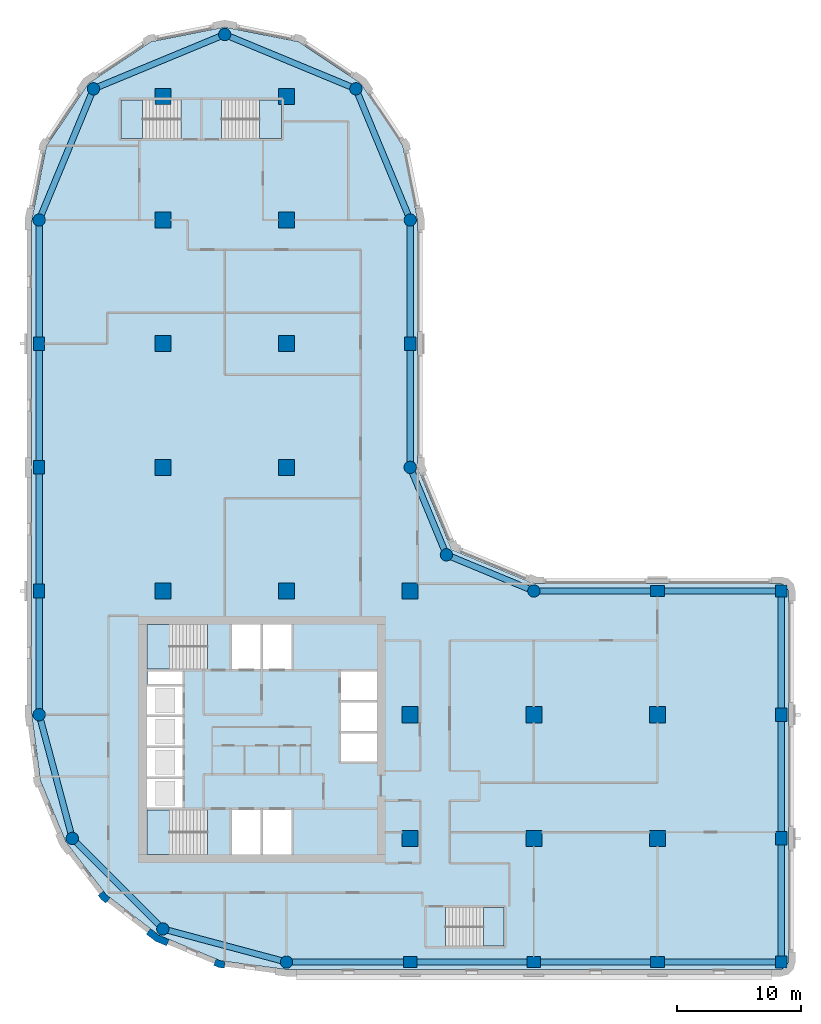
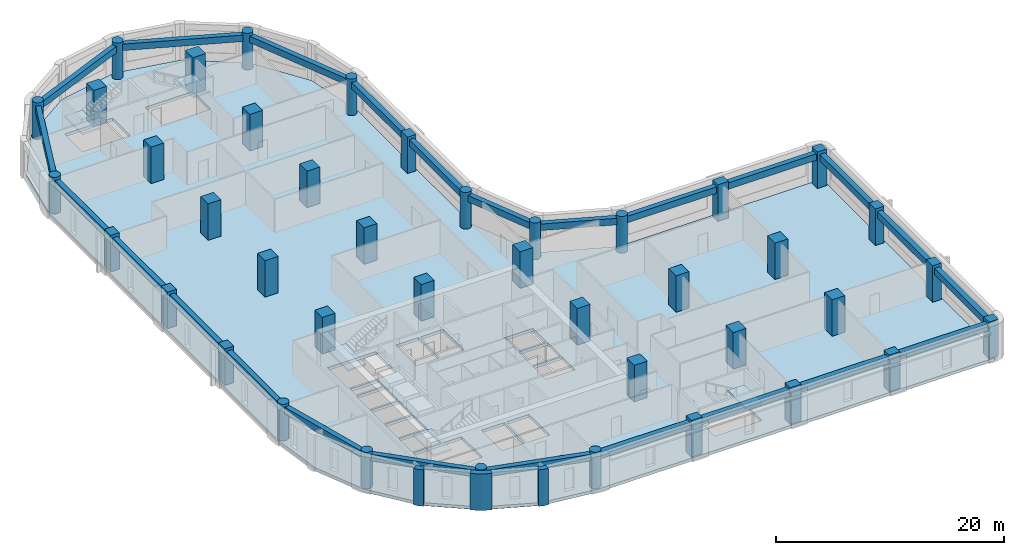
# One storey, part 1 of 9: 41 columns, 24 beams, 6 slabs, 3 walls, 5 elements without a shape of their own.
"""IFC4 building model written with IfcOpenShell, lengths in metres."""

from ifc_helpers import new_model, si_unit, direction, frame, origin, origin_2d, place, context, subcontext, project, spatial, polyline, rectangle, circle, outline, extrude, material, layer, layer_set, material_profile, profile_set, type_object, element, aggregate, save


model = new_model("IFC4")

# Units and contexts
model_context = context("Model", 3, precision=1e-05, world=origin(), true_north=direction((0.0, 1.0)))
body_context = subcontext(model_context, "Body", "Model", "MODEL_VIEW")
ifc_project = project(units=[si_unit("LENGTHUNIT", "METRE"), si_unit("AREAUNIT", "SQUARE_METRE"), si_unit("VOLUMEUNIT", "CUBIC_METRE"), si_unit("PLANEANGLEUNIT", "RADIAN"), si_unit("MASSUNIT", "GRAM", prefix="KILO")], contexts=[model_context])

# Site, building, storey
site_placement = place(None, origin())
site = spatial("IfcSite", under=ifc_project, at=site_placement, CompositionType="ELEMENT")
building_placement = place(site_placement, origin())
building = spatial("IfcBuilding", under=site, at=building_placement, Name="Qaws Garden Tower", CompositionType="ELEMENT")
storey_placement = place(building_placement, frame((0.0, 0.0, 190.199951171875)))
storey = spatial("IfcBuildingStorey", under=building, at=storey_placement, Name="L46", CompositionType="ELEMENT", Elevation=190.199951171875)

# Columns
ifc_material_1 = material(Name="Concrete C70", Category="concrete")
ifc_material_profile_1 = material_profile(ifc_material_1, rectangle(XDim=1.10009765625, YDim=0.89990234375, at=origin_2d()), Name="RC 1100x900")
ifc_profile_set_1 = profile_set([ifc_material_profile_1], Name="Concrete C70")
column_type_1 = type_object("IfcColumnType", Name="Column RC 1100x900 C70", PredefinedType="COLUMN", material=ifc_profile_set_1)
for number, where, z_axis, x_axis, name in (
    (1, (30.0, 0.0, 0.0), (0.0, 0.0, 1.0), (1.0, 0.0, 0.0), "Column L46-002"),
    (2, (40.0, 0.0, 0.0), (0.0, 0.0, 1.0), (1.0, 0.0, 0.0), "Column L46-003"),
    (3, (50.0, 0.0, 0.0), (0.0, 0.0, 1.0), (1.0, 0.0, 0.0), "Column L46-004"),
    (4, (60.0, 10.0, 0.0), (0.0, 0.0, 1.0), (0.0, 1.0, 0.0), "Column L46-006"),
    (5, (60.0, 20.0, 0.0), (0.0, 0.0, 1.0), (0.0, 1.0, 0.0), "Column L46-007"),
    (6, (50.0, 30.0, 0.0), (0.0, 0.0, 1.0), (1.0, 0.0, 0.0), "Column L46-009"),
    (7, (30.0, 50.0, 0.0), (0.0, 0.0, 1.0), (0.0, 1.0, 0.0), "Column L46-013"),
    (8, (0.0, 50.0, 0.0), (0.0, 0.0, 1.0), (0.0, 1.0, 0.0), "Column L46-019"),
    (9, (0.0, 40.0, 0.0), (0.0, 0.0, 1.0), (0.0, 1.0, 0.0), "Column L46-020"),
    (10, (0.0, 30.0, 0.0), (0.0, 0.0, 1.0), (0.0, 1.0, 0.0), "Column L46-021"),
):
    element("IfcColumn", number, at=place(storey_placement, frame(where, z_axis=z_axis, x_axis=x_axis)), inside=storey, type_object=column_type_1, Name=name, PredefinedType="COLUMN", context=body_context, shape_type="SweptSolid", body=[
        extrude(rectangle(XDim=1.10009765625, YDim=0.89990234375, at=origin_2d()), origin(), (0.0, 0.0, 1.0), 3.900146484375),
    ])
ifc_material_2 = material(Name="Concrete C70", Category="concrete")
ifc_material_profile_2 = material_profile(ifc_material_2, rectangle(XDim=1.300048828125, YDim=1.300048828125, at=origin_2d()), Name="RC 1300x1300")
ifc_profile_set_2 = profile_set([ifc_material_profile_2], Name="Concrete C70")
column_type_2 = type_object("IfcColumnType", Name="Column RC 1300x1300 C70", PredefinedType="COLUMN", material=ifc_profile_set_2)
for number, where, z_axis, x_axis, name in (
    (11, (10.0, 30.0, 0.0), (0.0, 0.0, 1.0), (1.0, 0.0, 0.0), "Column L46-025"),
    (12, (10.0, 40.0, 0.0), (0.0, 0.0, 1.0), (1.0, 0.0, 0.0), "Column L46-026"),
    (13, (10.0, 50.0, 0.0), (0.0, 0.0, 1.0), (1.0, 0.0, 0.0), "Column L46-027"),
    (14, (10.0, 60.0, 0.0), (0.0, 0.0, 1.0), (1.0, 0.0, 0.0), "Column L46-028"),
    (15, (10.0, 70.0, 0.0), (0.0, 0.0, 1.0), (1.0, 0.0, 0.0), "Column L46-029"),
    (16, (20.0, 30.0, 0.0), (0.0, 0.0, 1.0), (1.0, 0.0, 0.0), "Column L46-030"),
    (17, (20.0, 40.0, 0.0), (0.0, 0.0, 1.0), (1.0, 0.0, 0.0), "Column L46-031"),
    (18, (20.0, 50.0, 0.0), (0.0, 0.0, 1.0), (1.0, 0.0, 0.0), "Column L46-032"),
    (19, (20.0, 60.0, 0.0), (0.0, 0.0, 1.0), (1.0, 0.0, 0.0), "Column L46-033"),
    (20, (20.0, 70.0, 0.0), (0.0, 0.0, 1.0), (1.0, 0.0, 0.0), "Column L46-034"),
    (21, (30.0, 10.0, 0.0), (0.0, 0.0, 1.0), (1.0, 0.0, 0.0), "Column L46-035"),
    (22, (30.0, 20.0, 0.0), (0.0, 0.0, 1.0), (1.0, 0.0, 0.0), "Column L46-036"),
    (23, (30.0, 30.0, 0.0), (0.0, 0.0, 1.0), (1.0, 0.0, 0.0), "Column L46-037"),
    (24, (40.0, 10.0, 0.0), (0.0, 0.0, 1.0), (1.0, 0.0, 0.0), "Column L46-038"),
    (25, (40.0, 20.0, 0.0), (0.0, 0.0, 1.0), (1.0, 0.0, 0.0), "Column L46-039"),
    (26, (50.0, 10.0, 0.0), (0.0, 0.0, 1.0), (1.0, 0.0, 0.0), "Column L46-040"),
    (27, (50.0, 20.0, 0.0), (0.0, 0.0, 1.0), (1.0, 0.0, 0.0), "Column L46-041"),
):
    element("IfcColumn", number, at=place(storey_placement, frame(where, z_axis=z_axis, x_axis=x_axis)), inside=storey, type_object=column_type_2, Name=name, PredefinedType="COLUMN", context=body_context, shape_type="SweptSolid", body=[
        extrude(rectangle(XDim=1.300048828125, YDim=1.300048828125, at=origin_2d()), origin(), (0.0, 0.0, 1.0), 3.900146484375),
    ])
ifc_material_3 = material(Name="Concrete C70", Category="concrete")
ifc_material_profile_3 = material_profile(ifc_material_3, rectangle(XDim=0.949951171875, YDim=0.949951171875, at=origin_2d()), Name="RC 950x950")
ifc_profile_set_3 = profile_set([ifc_material_profile_3], Name="Concrete C70")
column_type_3 = type_object("IfcColumnType", Name="Column RC 950x950 C70", PredefinedType="COLUMN", material=ifc_profile_set_3)
for number, where, z_axis, x_axis, name in (
    (28, (60.0, 0.0, 0.0), (0.0, 0.0, 1.0), (1.0, 0.0, 0.0), "Column L46-005"),
    (29, (60.0, 30.0, 0.0), (0.0, 0.0, 1.0), (1.0, 0.0, 0.0), "Column L46-008"),
):
    element("IfcColumn", number, at=place(storey_placement, frame(where, z_axis=z_axis, x_axis=x_axis)), inside=storey, type_object=column_type_3, Name=name, PredefinedType="COLUMN", context=body_context, shape_type="SweptSolid", body=[
        extrude(rectangle(XDim=0.949951171875, YDim=0.949951171875, at=origin_2d()), origin(), (0.0, 0.0, 1.0), 3.900146484375),
    ])
ifc_material_4 = material(Name="Concrete C70", Category="concrete")
ifc_material_profile_4 = material_profile(ifc_material_4, circle(Radius=0.5, at=origin_2d()), Name="RC D1000")
ifc_profile_set_4 = profile_set([ifc_material_profile_4], Name="Concrete C70")
column_type_4 = type_object("IfcColumnType", Name="Column RC D1000 C70", PredefinedType="COLUMN", material=ifc_profile_set_4)
for number, where, z_axis, x_axis, name in (
    (30, (20.0, 0.0, 0.0), (0.0, 0.0, 1.0), (1.0, 0.0, 0.0), "Column L46-001"),
    (31, (40.0, 30.0, 0.0), (0.0, 0.0, 1.0), (1.0, 0.0, 0.0), "Column L46-010"),
    (32, (32.928955078125, 32.928955078125, 0.0), (0.0, 0.0, 1.0), (1.0, 0.0, 0.0), "Column L46-011"),
    (33, (30.0, 40.0, 0.0), (0.0, 0.0, 1.0), (1.0, 0.0, 0.0), "Column L46-012"),
    (34, (30.0, 60.0, 0.0), (0.0, 0.0, 1.0), (1.0, 0.0, 0.0), "Column L46-014"),
    (35, (25.606689453125, 70.606689453125, 0.0), (0.0, 0.0, 1.0), (1.0, 0.0, 0.0), "Column L46-015"),
    (36, (15.0, 75.0, 0.0), (0.0, 0.0, 1.0), (1.0, 0.0, 0.0), "Column L46-016"),
    (37, (4.393310546875, 70.606689453125, 0.0), (0.0, 0.0, 1.0), (1.0, 0.0, 0.0), "Column L46-017"),
    (38, (0.0, 60.0, 0.0), (0.0, 0.0, 1.0), (1.0, 0.0, 0.0), "Column L46-018"),
    (39, (0.0, 20.0, 0.0), (0.0, 0.0, 1.0), (1.0, 0.0, 0.0), "Column L46-022"),
    (40, (2.679443359375, 10.0, 0.0), (0.0, 0.0, 1.0), (1.0, 0.0, 0.0), "Column L46-023"),
    (41, (10.0, 2.679443359375, 0.0), (0.0, 0.0, 1.0), (1.0, 0.0, 0.0), "Column L46-024"),
):
    element("IfcColumn", number, at=place(storey_placement, frame(where, z_axis=z_axis, x_axis=x_axis)), inside=storey, type_object=column_type_4, Name=name, PredefinedType="COLUMN", context=body_context, shape_type="SweptSolid", body=[
        extrude(circle(Radius=0.5, at=origin_2d()), origin(), (0.0, 0.0, 1.0), 3.900146484375),
    ])

# Beams
ifc_material_5 = material(Name="Concrete C45", Category="concrete")
ifc_material_profile_5 = material_profile(ifc_material_5, rectangle(XDim=0.5, YDim=0.699951171875, at=origin_2d()), Name="RC 500x700")
ifc_profile_set_5 = profile_set([ifc_material_profile_5], Name="Concrete C45")
beam_type = type_object("IfcBeamType", Name="Spandrel beam RC 500x700 C45", PredefinedType="SPANDREL", material=ifc_profile_set_5)
for number, where, z_axis, x_axis, name in (
    (42, (20.0, 0.0, 3.22998046875), (1.0, 0.0, 0.0), (0.0, 1.0, 0.0), "Spandrel beam L46-001"),
    (43, (30.0, 0.0, 3.22998046875), (1.0, 0.0, 0.0), (0.0, 1.0, 0.0), "Spandrel beam L46-002"),
    (44, (40.0, 0.0, 3.22998046875), (1.0, 0.0, 0.0), (0.0, 1.0, 0.0), "Spandrel beam L46-003"),
    (45, (50.0, 0.0, 3.22998046875), (1.0, 0.0, 0.0), (0.0, 1.0, 0.0), "Spandrel beam L46-004"),
    (46, (60.0, 0.0, 3.22998046875), (0.0, 1.0, 0.0), (-1.0, 0.0, 0.0), "Spandrel beam L46-005"),
    (47, (60.0, 10.0, 3.22998046875), (0.0, 1.0, 0.0), (-1.0, 0.0, 0.0), "Spandrel beam L46-006"),
    (48, (60.0, 20.0, 3.22998046875), (0.0, 1.0, 0.0), (-1.0, 0.0, 0.0), "Spandrel beam L46-007"),
    (49, (60.0, 30.0, 3.22998046875), (-1.0, 0.0, 0.0), (0.0, -1.0, 0.0), "Spandrel beam L46-008"),
    (50, (50.0, 30.0, 3.22998046875), (-1.0, 0.0, 0.0), (0.0, -1.0, 0.0), "Spandrel beam L46-009"),
):
    element("IfcBeam", number, at=place(storey_placement, frame(where, z_axis=z_axis, x_axis=x_axis)), inside=storey, type_object=beam_type, Name=name, PredefinedType="SPANDREL", context=body_context, shape_type="SweptSolid", body=[
        extrude(rectangle(XDim=0.5, YDim=0.699951171875, at=origin_2d()), origin(), (0.0, 0.0, 1.0), 10.0),
    ])
for number, where, z_axis, x_axis, name in (
    (51, (40.0, 30.0, 3.22998046875), (-0.923878037141, 0.382687042488, 0.0), (-0.382687042488, -0.923878037141, 0.0), "Spandrel beam L46-010"),
    (52, (32.928955078125, 32.928955078125, 3.22998046875), (-0.382687042488, 0.923878037141, 0.0), (-0.923878037141, -0.382687042488, 0.0), "Spandrel beam L46-011"),
):
    element("IfcBeam", number, at=place(storey_placement, frame(where, z_axis=z_axis, x_axis=x_axis)), inside=storey, type_object=beam_type, Name=name, PredefinedType="SPANDREL", context=body_context, shape_type="SweptSolid", body=[
        extrude(rectangle(XDim=0.5, YDim=0.699951171875, at=origin_2d()), origin(), (0.0, 0.0, 1.0), 7.653564453125),
    ])
for number, where, z_axis, x_axis, name in (
    (53, (30.0, 40.0, 3.22998046875), (0.0, 1.0, 0.0), (-1.0, 0.0, 0.0), "Spandrel beam L46-012"),
    (54, (30.0, 50.0, 3.22998046875), (0.0, 1.0, 0.0), (-1.0, 0.0, 0.0), "Spandrel beam L46-013"),
):
    element("IfcBeam", number, at=place(storey_placement, frame(where, z_axis=z_axis, x_axis=x_axis)), inside=storey, type_object=beam_type, Name=name, PredefinedType="SPANDREL", context=body_context, shape_type="SweptSolid", body=[
        extrude(rectangle(XDim=0.5, YDim=0.699951171875, at=origin_2d()), origin(), (0.0, 0.0, 1.0), 10.0),
    ])
for number, where, z_axis, x_axis, name in (
    (55, (30.0, 60.0, 3.22998046875), (-0.382674207535, 0.923883353507, 0.0), (-0.923883353507, -0.382674207535, 0.0), "Spandrel beam L46-014"),
    (56, (25.606689453125, 70.606689453125, 3.22998046875), (-0.923883353507, 0.382674207535, 0.0), (-0.382674207535, -0.923883353507, 0.0), "Spandrel beam L46-015"),
    (57, (15.0, 75.0, 3.22998046875), (-0.923883353507, -0.382674207535, 0.0), (0.382674207535, -0.923883353507, 0.0), "Spandrel beam L46-016"),
    (58, (4.393310546875, 70.606689453125, 3.22998046875), (-0.382674207535, -0.923883353507, 0.0), (0.923883353507, -0.382674207535, 0.0), "Spandrel beam L46-017"),
):
    element("IfcBeam", number, at=place(storey_placement, frame(where, z_axis=z_axis, x_axis=x_axis)), inside=storey, type_object=beam_type, Name=name, PredefinedType="SPANDREL", context=body_context, shape_type="SweptSolid", body=[
        extrude(rectangle(XDim=0.5, YDim=0.699951171875, at=origin_2d()), origin(), (0.0, 0.0, 1.0), 11.48046875),
    ])
for number, where, z_axis, x_axis, name in (
    (59, (0.0, 60.0, 3.22998046875), (0.0, -1.0, 0.0), (1.0, 0.0, 0.0), "Spandrel beam L46-018"),
    (60, (0.0, 50.0, 3.22998046875), (0.0, -1.0, 0.0), (1.0, 0.0, 0.0), "Spandrel beam L46-019"),
    (61, (0.0, 40.0, 3.22998046875), (0.0, -1.0, 0.0), (1.0, 0.0, 0.0), "Spandrel beam L46-020"),
    (62, (0.0, 30.0, 3.22998046875), (0.0, -1.0, 0.0), (1.0, 0.0, 0.0), "Spandrel beam L46-021"),
):
    element("IfcBeam", number, at=place(storey_placement, frame(where, z_axis=z_axis, x_axis=x_axis)), inside=storey, type_object=beam_type, Name=name, PredefinedType="SPANDREL", context=body_context, shape_type="SweptSolid", body=[
        extrude(rectangle(XDim=0.5, YDim=0.699951171875, at=origin_2d()), origin(), (0.0, 0.0, 1.0), 10.0),
    ])
for number, where, z_axis, x_axis, name in (
    (63, (0.0, 20.0, 3.22998046875), (0.25881466832, -0.965926999034, 0.0), (0.965926999034, 0.25881466832, 0.0), "Spandrel beam L46-022"),
    (64, (2.679443359375, 10.0, 3.22998046875), (0.707106781187, -0.707106781187, 0.0), (0.707106781187, 0.707106781187, 0.0), "Spandrel beam L46-023"),
    (65, (10.0, 2.679443359375, 3.22998046875), (0.965926999034, -0.25881466832, 0.0), (0.25881466832, 0.965926999034, 0.0), "Spandrel beam L46-024"),
):
    element("IfcBeam", number, at=place(storey_placement, frame(where, z_axis=z_axis, x_axis=x_axis)), inside=storey, type_object=beam_type, Name=name, PredefinedType="SPANDREL", context=body_context, shape_type="SweptSolid", body=[
        extrude(rectangle(XDim=0.5, YDim=0.699951171875, at=origin_2d()), origin(), (0.0, 0.0, 1.0), 10.352783203125),
    ])

# Slab
ifc_material_6 = material(Name="Concrete C40", Category="concrete")
ifc_layer_1 = layer(ifc_material_6, 0.320068359375)
ifc_layer_set_1 = layer_set([ifc_layer_1], Name="Concrete C40")
slab_type_1 = type_object("IfcSlabType", Name="Floor slab 320 C40", PredefinedType="FLOOR", material=ifc_layer_set_1)
slab_1_placement = place(storey_placement, frame((0.0, 0.0, -0.320068359375)))
element("IfcSlab", 66, at=slab_1_placement, inside=storey, type_object=slab_type_1, Name="Floor slab L46", PredefinedType="FLOOR", context=body_context, shape_type="SweptSolid", body=[
    extrude(outline(polyline([(0.101806640625, 14.668212890625), (-0.60009765625, 20.0), (-0.60009765625, 30.60009765625), (-0.60009765625, 60.0), (-0.60009765625, 60.0), (0.58740234375, 65.969970703125), (3.968994140625, 71.031005859375), (9.030029296875, 74.41259765625), (15.0, 75.60009765625), (20.969970703125, 74.41259765625), (26.031005859375, 71.031005859375), (29.41259765625, 65.969970703125), (30.60009765625, 60.0), (30.60009765625, 40.0), (33.353271484375, 33.353271484375), (40.0, 30.60009765625), (60.0, 30.60009765625), (60.42431640625, 30.42431640625), (60.60009765625, 30.0), (60.60009765625, 0.0), (60.42431640625, -0.42431640625), (60.0, -0.60009765625), (30.60009765625, -0.60009765625), (20.0, -0.60009765625), (14.668212890625, 0.101806640625), (9.699951171875, 2.159912109375), (5.43359375, 5.43359375), (2.159912109375, 9.699951171875), (0.101806640625, 14.668212890625)]), holes=[polyline([(13.599609375, 12.300048828125), (8.699951171875, 12.300048828125), (8.699951171875, 8.699951171875), (13.599609375, 8.699951171875), (13.599609375, 12.300048828125)]), polyline([(17.89990234375, 12.300048828125), (15.60009765625, 12.300048828125), (15.60009765625, 8.699951171875), (17.89990234375, 8.699951171875), (17.89990234375, 12.300048828125)]), polyline([(11.60009765625, 14.800048828125), (8.699951171875, 14.800048828125), (8.699951171875, 12.5), (11.60009765625, 12.5), (11.60009765625, 14.800048828125)]), polyline([(11.60009765625, 17.300048828125), (8.699951171875, 17.300048828125), (8.699951171875, 15.0), (11.60009765625, 15.0), (11.60009765625, 17.300048828125)]), polyline([(11.60009765625, 19.800048828125), (8.699951171875, 19.800048828125), (8.699951171875, 17.5), (11.60009765625, 17.5), (11.60009765625, 19.800048828125)]), polyline([(11.60009765625, 22.300048828125), (8.699951171875, 22.300048828125), (8.699951171875, 20.0), (11.60009765625, 20.0), (11.60009765625, 22.300048828125)]), polyline([(11.60009765625, 23.5), (8.800048828125, 23.5), (8.800048828125, 22.5), (11.60009765625, 22.5), (11.60009765625, 23.5)]), polyline([(13.599609375, 27.300048828125), (8.699951171875, 27.300048828125), (8.699951171875, 23.699951171875), (13.599609375, 23.699951171875), (13.599609375, 27.300048828125)]), polyline([(11.449462890625, 69.699951171875), (6.60009765625, 69.699951171875), (6.60009765625, 66.60009765625), (11.449462890625, 66.60009765625), (11.449462890625, 69.699951171875)]), polyline([(37.60009765625, 4.39990234375), (32.8505859375, 4.39990234375), (32.8505859375, 1.300048828125), (37.60009765625, 1.300048828125), (37.60009765625, 4.39990234375)]), polyline([(20.39990234375, 12.300048828125), (18.10009765625, 12.300048828125), (18.10009765625, 8.699951171875), (20.39990234375, 8.699951171875), (20.39990234375, 12.300048828125)]), polyline([(27.300048828125, 18.5), (24.39990234375, 18.5), (24.39990234375, 16.199951171875), (27.300048828125, 16.199951171875), (27.300048828125, 18.5)]), polyline([(27.300048828125, 21.0), (24.39990234375, 21.0), (24.39990234375, 18.699951171875), (27.300048828125, 18.699951171875), (27.300048828125, 21.0)]), polyline([(27.300048828125, 23.5), (24.39990234375, 23.5), (24.39990234375, 21.199951171875), (27.300048828125, 21.199951171875), (27.300048828125, 23.5)]), polyline([(17.89990234375, 27.300048828125), (15.60009765625, 27.300048828125), (15.60009765625, 23.699951171875), (17.89990234375, 23.699951171875), (17.89990234375, 27.300048828125)]), polyline([(20.39990234375, 23.699951171875), (20.39990234375, 27.300048828125), (18.10009765625, 27.300048828125), (18.10009765625, 23.699951171875), (20.39990234375, 23.699951171875)]), polyline([(19.60009765625, 66.60009765625), (19.60009765625, 69.699951171875), (14.75048828125, 69.699951171875), (14.75048828125, 66.60009765625), (19.60009765625, 66.60009765625)])]), origin(), (0.0, 0.0, 1.0), 0.320068359375),
])

# Stair, slab
ifc_material_7 = material(Name="Concrete C40", Category="concrete")
stair_type_1 = type_object("IfcStairType", Name="Exit stair 1500", PredefinedType="HALF_TURN_STAIR", material=ifc_material_7)
placement_1 = place(storey_placement, origin())
stair_1 = element("IfcStair", 67, at=placement_1, inside=storey, type_object=stair_type_1, Name="Stair 1", PredefinedType="HALF_TURN_STAIR")
ifc_material_8 = material(Name="Concrete C40", Category="concrete")
ifc_layer_2 = layer(ifc_material_8, 0.199951171875)
ifc_layer_set_2 = layer_set([ifc_layer_2], Name="Concrete C40")
slab_type_2 = type_object("IfcSlabType", Name="Stair landing 200", PredefinedType="LANDING", material=ifc_layer_set_2)
placement_2 = place(storey_placement, frame((0.0, 0.0, 1.75)))
slab_2 = element("IfcSlab", 68, at=placement_2, type_object=slab_type_2, Name="ST1 landing 1", PredefinedType="LANDING", context=body_context, shape_type="SweptSolid", body=[
    extrude(outline(polyline([(8.699951171875, 8.699951171875), (10.52001953125, 8.699951171875), (10.52001953125, 12.300048828125), (8.699951171875, 12.300048828125), (8.699951171875, 8.699951171875)])), origin(), (0.0, 0.0, 1.0), 0.199951171875),
])
aggregate(stair_1, [slab_2])

stair_2 = element("IfcStair", 69, at=placement_1, inside=storey, type_object=stair_type_1, Name="Stair 4", PredefinedType="HALF_TURN_STAIR")
slab_3 = element("IfcSlab", 70, at=placement_2, type_object=slab_type_2, Name="ST4 landing 1", PredefinedType="LANDING", context=body_context, shape_type="SweptSolid", body=[
    extrude(outline(polyline([(8.699951171875, 23.699951171875), (10.52001953125, 23.699951171875), (10.52001953125, 27.300048828125), (8.699951171875, 27.300048828125), (8.699951171875, 23.699951171875)])), origin(), (0.0, 0.0, 1.0), 0.199951171875),
])
aggregate(stair_2, [slab_3])

ifc_material_9 = material(Name="Concrete C40", Category="concrete")
stair_type_2 = type_object("IfcStairType", Name="Exit stair 1350", PredefinedType="HALF_TURN_STAIR", material=ifc_material_9)
stair_3 = element("IfcStair", 71, at=placement_1, inside=storey, type_object=stair_type_2, Name="Stair 5", PredefinedType="HALF_TURN_STAIR")
slab_4 = element("IfcSlab", 72, at=placement_2, type_object=slab_type_2, Name="ST5 landing 1", PredefinedType="LANDING", context=body_context, shape_type="SweptSolid", body=[
    extrude(outline(polyline([(35.929931640625, 1.300048828125), (37.60009765625, 1.300048828125), (37.60009765625, 4.39990234375), (35.929931640625, 4.39990234375), (35.929931640625, 1.300048828125)])), origin(), (0.0, 0.0, 1.0), 0.199951171875),
])
aggregate(stair_3, [slab_4])

stair_4 = element("IfcStair", 73, at=placement_1, inside=storey, type_object=stair_type_2, Name="Stair 6", PredefinedType="HALF_TURN_STAIR")
slab_5 = element("IfcSlab", 74, at=placement_2, type_object=slab_type_2, Name="ST6 landing 1", PredefinedType="LANDING", context=body_context, shape_type="SweptSolid", body=[
    extrude(outline(polyline([(6.60009765625, 66.60009765625), (8.3701171875, 66.60009765625), (8.3701171875, 69.699951171875), (6.60009765625, 69.699951171875), (6.60009765625, 66.60009765625)])), origin(), (0.0, 0.0, 1.0), 0.199951171875),
])
aggregate(stair_4, [slab_5])

stair_5 = element("IfcStair", 75, at=placement_1, inside=storey, type_object=stair_type_2, Name="Stair 7", PredefinedType="HALF_TURN_STAIR")
slab_6 = element("IfcSlab", 76, at=placement_2, type_object=slab_type_2, Name="ST7 landing 1", PredefinedType="LANDING", context=body_context, shape_type="SweptSolid", body=[
    extrude(outline(polyline([(17.830078125, 66.60009765625), (19.60009765625, 66.60009765625), (19.60009765625, 69.699951171875), (17.830078125, 69.699951171875), (17.830078125, 66.60009765625)])), origin(), (0.0, 0.0, 1.0), 0.199951171875),
])
aggregate(stair_5, [slab_6])

# Walls
ifc_material_10 = material(Name="Clay facing brick masonry", Category="masonry")
ifc_layer_3 = layer(ifc_material_10, 0.550048828125)
ifc_layer_set_3 = layer_set([ifc_layer_3], Name="Clay facing brick masonry")
wall_type_1 = type_object("IfcWallType", Name="Brick kink pier 550 x 600", PredefinedType="SOLIDWALL", material=ifc_layer_set_3)
element("IfcWall", 77, at=placement_1, inside=storey, type_object=wall_type_1, Name="E-L46-pier-28", PredefinedType="SOLIDWALL", context=body_context, shape_type="SweptSolid", body=[
    extrude(outline(polyline([(4.8818359375, 5.487060546875), (4.762939453125, 5.395751953125), (5.03759765625, 5.03759765625), (5.395751953125, 4.762939453125), (5.487060546875, 4.8818359375), (5.730712890625, 5.19921875), (5.429931640625, 5.429931640625), (5.19921875, 5.730712890625), (4.8818359375, 5.487060546875)])), origin(), (0.0, 0.0, 1.0), 3.900146484375),
])
element("IfcWall", 78, at=placement_1, inside=storey, type_object=wall_type_1, Name="E-L46-pier-30", PredefinedType="SOLIDWALL", context=body_context, shape_type="SweptSolid", body=[
    extrude(outline(polyline([(14.163818359375, -0.127685546875), (14.1064453125, -0.26611328125), (14.5234375, -0.43896484375), (14.970947265625, -0.497802734375), (14.990478515625, -0.34912109375), (15.042724609375, 0.04736328125), (14.6669921875, 0.096923828125), (14.31689453125, 0.241943359375), (14.163818359375, -0.127685546875)])), origin(), (0.0, 0.0, 1.0), 3.900146484375),
])
ifc_material_11 = material(Name="Clay facing brick masonry", Category="masonry")
ifc_layer_4 = layer(ifc_material_11, 0.550048828125)
ifc_layer_set_4 = layer_set([ifc_layer_4], Name="Clay facing brick masonry")
wall_type_2 = type_object("IfcWallType", Name="Brick pier 550 x 1600", PredefinedType="SOLIDWALL", material=ifc_layer_set_4)
element("IfcWall", 79, at=placement_1, inside=storey, type_object=wall_type_2, Name="E-L46-pier-29", PredefinedType="SOLIDWALL", context=body_context, shape_type="SweptSolid", body=[
    extrude(outline(polyline([(8.756591796875, 2.373046875), (8.665283203125, 2.254150390625), (9.419921875, 1.675048828125), (10.299072265625, 1.310791015625), (10.3564453125, 1.449462890625), (10.509521484375, 1.819091796875), (9.697509765625, 2.1552734375), (9.0, 2.6904296875), (8.756591796875, 2.373046875)])), origin(), (0.0, 0.0, 1.0), 3.900146484375),
])

save(model, "model.ifc")
